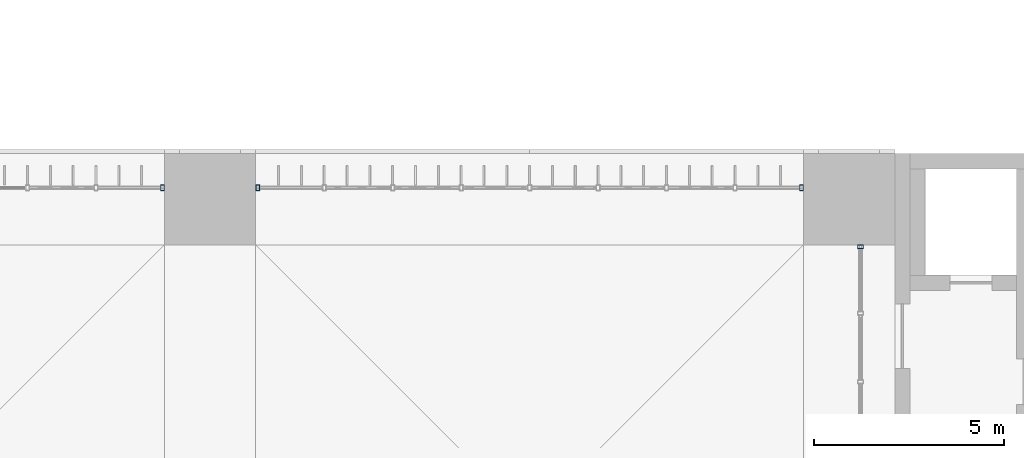
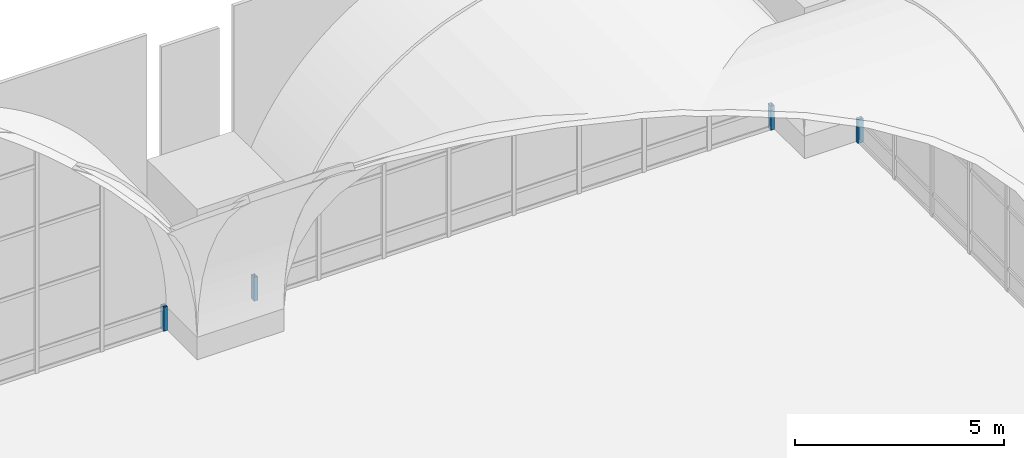
# One storey, part 74 of 169: 4 members, 3 elements without a shape of their own.
"""IFC4 building model written with IfcOpenShell, lengths in metres."""

import ifcopenshell
import ifcopenshell.guid

model = None  # the IFC model being written
_history = None  # IfcOwnerHistory: only IFC2X3 demands one
_inside = {}  # id of a spatial element -> (the spatial element, [elements in it])
_under = {}  # id of a project, library or spatial element -> (it, [spatial elements below it])
_declared = {}  # id of a project -> (the project, [libraries it declares])
_typed = {}  # id of a type object -> (the type object, [elements of that type])
_made_of = {}  # id of a material, layer set ... -> (it, [elements and type objects made of it])


def new_model(schema):
    """Start an empty IFC model of exactly this schema.

    Asked for "IFC4X3", IfcOpenShell would pick the latest addendum, in which some entities
    have other attributes; the version numbers below select the first issue.
    IFC2X3 requires an IfcOwnerHistory on every rooted entity: one is made here for all.
    """
    global model, _history
    if schema == "IFC4X3":
        model = ifcopenshell.file(schema_version=(4, 3, 0, 0))
    else:
        model = ifcopenshell.file(schema=schema)
    _inside.clear()
    _under.clear()
    _declared.clear()
    _typed.clear()
    _made_of.clear()
    _history = None
    if model.schema == "IFC2X3":
        org = make("IfcOrganization", Name="unknown")
        user = make(
            "IfcPersonAndOrganization",
            ThePerson=make("IfcPerson", FamilyName="unknown"),
            TheOrganization=org,
        )
        app = make(
            "IfcApplication",
            ApplicationDeveloper=org,
            Version="unknown",
            ApplicationFullName="unknown",
            ApplicationIdentifier="unknown",
        )
        _history = make(
            "IfcOwnerHistory",
            OwningUser=user,
            OwningApplication=app,
            ChangeAction="ADDED",
            CreationDate=0,
        )
    return model


def make(cls, **values):
    """One entity of the class cls with the attributes given. An attribute that is None is left unset."""
    return model.create_entity(
        cls, **{name: value for name, value in values.items() if value is not None}
    )


def rooted(cls, **values):
    """An entity with a GlobalId (a new one), such as an element, a storey or a relation."""
    return make(cls, GlobalId=ifcopenshell.guid.new(), OwnerHistory=_history, **values)


def si_unit(unit_type, name, prefix=None):
    """IfcSIUnit, for example si_unit("LENGTHUNIT", "METRE", prefix="MILLI")."""
    return make("IfcSIUnit", UnitType=unit_type, Prefix=prefix, Name=name)


def assignment(units):
    """IfcUnitAssignment: the units of a project."""
    return None if units is None else make("IfcUnitAssignment", Units=units)


def point(xyz):
    """IfcCartesianPoint."""
    return None if xyz is None else make("IfcCartesianPoint", Coordinates=xyz)


def direction(xyz):
    """IfcDirection."""
    return None if xyz is None else make("IfcDirection", DirectionRatios=xyz)


def frame(location, z_axis=None, x_axis=None):
    """IfcAxis2Placement3D, a coordinate frame: its origin and axes. An axis left out is left unset."""
    return make(
        "IfcAxis2Placement3D",
        Location=point(location),
        Axis=direction(z_axis),
        RefDirection=direction(x_axis),
    )


def frame_2d(location, x_axis=None):
    """IfcAxis2Placement2D, a coordinate frame in the plane: its origin and x axis."""
    return make(
        "IfcAxis2Placement2D", Location=point(location), RefDirection=direction(x_axis)
    )


def origin():
    """The frame at (0, 0, 0) with its axes left unset."""
    return frame((0.0, 0.0, 0.0))


def origin_2d():
    """The frame at (0, 0) in the plane with its x axis left unset."""
    return frame_2d((0.0, 0.0))


def place(relative_to, where):
    """IfcLocalPlacement: puts the frame where relative to a parent placement (None: the world)."""
    return make(
        "IfcLocalPlacement", PlacementRelTo=relative_to, RelativePlacement=where
    )


def context(
    kind, dimensions, precision=None, world=None, true_north=None, identifier=None
):
    """IfcGeometricRepresentationContext, for example the 3D "Model" context."""
    return make(
        "IfcGeometricRepresentationContext",
        ContextIdentifier=identifier,
        ContextType=kind,
        CoordinateSpaceDimension=dimensions,
        Precision=precision,
        WorldCoordinateSystem=world,
        TrueNorth=true_north,
    )


def subcontext(parent, identifier, kind, view, scale=None):
    """IfcGeometricRepresentationSubContext, for example "Body" below "Model"."""
    return make(
        "IfcGeometricRepresentationSubContext",
        ContextIdentifier=identifier,
        ContextType=kind,
        ParentContext=parent,
        TargetScale=scale,
        TargetView=view,
    )


def project(units=None, contexts=None):
    """IfcProject with its units and contexts."""
    return rooted(
        "IfcProject",
        Name="project",
        RepresentationContexts=contexts,
        UnitsInContext=assignment(units),
    )


def spatial(cls, under=None, at=None, **own):
    """A site, building, storey or space (cls), placed at a placement, below another one or the project."""
    s = rooted(cls, ObjectPlacement=at, **own)
    if under is not None:
        _under.setdefault(under.id(), (under, []))[1].append(s)
    return s


def profile(cls, at=None, kind="AREA", **sizes):
    """A parametric profile (cls). Its sizes go by their IFC names, for example OverallWidth=200.0."""
    return make(cls, ProfileType=kind, Position=at, **sizes)


def hollow_rectangle(**sizes):
    """IfcRectangleHollowProfileDef."""
    return profile("IfcRectangleHollowProfileDef", **sizes)


def extrude(swept, where, along, depth):
    """IfcExtrudedAreaSolid: the profile swept, set in the frame where, extruded along a direction by depth."""
    return make(
        "IfcExtrudedAreaSolid",
        SweptArea=swept,
        Position=where,
        ExtrudedDirection=direction(along),
        Depth=depth,
    )


def shape(context_of_items, identifier, shape_type, items):
    """IfcShapeRepresentation: the items that make up one representation, for example the "Body"."""
    return make(
        "IfcShapeRepresentation",
        ContextOfItems=context_of_items,
        RepresentationIdentifier=identifier,
        RepresentationType=shape_type,
        Items=items,
    )


def material(Name=None, Category=None):
    """IfcMaterial."""
    return make("IfcMaterial", Name=Name, Category=Category)


def layer(
    of_material, thickness, ventilated=None, Name=None, Category=None, Priority=None
):
    """IfcMaterialLayer: one layer of a wall or slab, of a material (None: an air gap)."""
    return make(
        "IfcMaterialLayer",
        Material=of_material,
        LayerThickness=thickness,
        IsVentilated=ventilated,
        Name=Name,
        Category=Category,
        Priority=Priority,
    )


def layer_set(layers, Name=None):
    """IfcMaterialLayerSet."""
    return make("IfcMaterialLayerSet", MaterialLayers=layers, LayerSetName=Name)


def material_profile(
    of_material, cross_section, Name=None, Category=None, Priority=None
):
    """IfcMaterialProfile: a cross section and its material."""
    return make(
        "IfcMaterialProfile",
        Name=Name,
        Material=of_material,
        Profile=cross_section,
        Priority=Priority,
        Category=Category,
    )


def profile_set(profiles, Name=None, composite=None):
    """IfcMaterialProfileSet."""
    return make(
        "IfcMaterialProfileSet",
        Name=Name,
        MaterialProfiles=profiles,
        CompositeProfile=composite,
    )


def made_of(thing, what):
    """Note that an element or type object is made of a material, layer set ...; save() writes the relation."""
    if what is not None:
        _made_of.setdefault(what.id(), (what, []))[1].append(thing)
    return thing


def type_object(cls, material=None, **own):
    """A type object (cls), such as IfcWallType, which elements share."""
    return made_of(rooted(cls, **own), material)


def element(
    cls,
    number,
    at=None,
    inside=None,
    cuts=None,
    type_object=None,
    material=None,
    context=None,
    identifier="Body",
    shape_type=None,
    held_by="IfcProductDefinitionShape",
    body=None,
    shapes=None,
    **own,
):
    """One element of the class cls, such as IfcWall. Its Tag is "e" and its number.

    at: its placement. inside: the storey or other place that contains it. cuts: it is an
    opening in that element (IfcRelVoidsElement). A single representation is given by context,
    identifier, shape_type and body (its items); several are given by shapes. held_by: the class
    of the entity that holds the representations. save() writes the other relations.
    """
    e = rooted(cls, Tag="e%d" % number, ObjectPlacement=at, **own)
    if body is not None:
        shapes = [shape(context, identifier, shape_type, body)]
    if shapes is not None:
        e.Representation = make(held_by, Representations=shapes)
    if inside is not None:
        _inside.setdefault(inside.id(), (inside, []))[1].append(e)
    if cuts is not None:
        rooted(
            "IfcRelVoidsElement", RelatingBuildingElement=cuts, RelatedOpeningElement=e
        )
    if type_object is not None:
        _typed.setdefault(type_object.id(), (type_object, []))[1].append(e)
    return made_of(e, material)


def aggregate(whole, parts):
    """IfcRelAggregates: a whole, such as a stair, and the parts it consists of."""
    return rooted("IfcRelAggregates", RelatingObject=whole, RelatedObjects=parts)


def save(model, path):
    """Write the relations noted so far, then the file.

    IfcRelAggregates (storeys below a building ...), IfcRelContainedInSpatialStructure (elements
    in a storey), IfcRelDefinesByType, IfcRelAssociatesMaterial and IfcRelDeclares: one each for
    every whole, place, type object, material and project.
    """
    for whole, parts in _under.values():
        aggregate(whole, parts)
    for where, things in _inside.values():
        rooted(
            "IfcRelContainedInSpatialStructure",
            RelatedElements=things,
            RelatingStructure=where,
        )
    for kind, things in _typed.values():
        rooted("IfcRelDefinesByType", RelatedObjects=things, RelatingType=kind)
    for what, things in _made_of.values():
        rooted("IfcRelAssociatesMaterial", RelatedObjects=things, RelatingMaterial=what)
    for by, libraries in _declared.values():
        rooted("IfcRelDeclares", RelatingContext=by, RelatedDefinitions=libraries)
    model.write(path)


model = new_model("IFC4")

# Units and contexts
model_context = context("Model", 3, precision=1e-05, world=origin(), true_north=direction((0.0, 1.0)))
body_context = subcontext(model_context, "Body", "Model", "MODEL_VIEW")
ifc_project = project(units=[si_unit("LENGTHUNIT", "METRE"), si_unit("AREAUNIT", "SQUARE_METRE"), si_unit("VOLUMEUNIT", "CUBIC_METRE"), si_unit("PLANEANGLEUNIT", "RADIAN"), si_unit("MASSUNIT", "GRAM", prefix="KILO")], contexts=[model_context])

# Site, building, storey
site_placement = place(None, origin())
site = spatial("IfcSite", under=ifc_project, at=site_placement, CompositionType="ELEMENT")
building_placement = place(site_placement, origin())
building = spatial("IfcBuilding", under=site, at=building_placement, Name="Verrick Yard Athletic Hall", CompositionType="ELEMENT")
storey_placement = place(building_placement, frame((0.0, 0.0, 4.39990234375)))
storey = spatial("IfcBuildingStorey", under=building, at=storey_placement, Name="L01", CompositionType="ELEMENT", Elevation=4.39990234375)

# Curtain wall, member
ifc_material_1 = material(Name="Aluminium and glass curtain wall", Category="aluminium")
ifc_layer_1 = layer(ifc_material_1, 0.14990234375)
ifc_layer_set_1 = layer_set([ifc_layer_1], Name="Arcade glazing arch")
curtain_wall_type_1 = type_object("IfcCurtainWallType", Name="Arcade glazing arch", PredefinedType="NOTDEFINED", material=ifc_layer_set_1)
curtain_wall_1_placement = place(storey_placement, origin())
curtain_wall_1 = element("IfcCurtainWall", 1, at=curtain_wall_1_placement, inside=storey, type_object=curtain_wall_type_1, Name="Arcade glazing N6", PredefinedType="NOTDEFINED")
ifc_material_2 = material(Name="Structural steel HSS Class C 350W (CSA G40.20/G40.21)", Category="steel")
ifc_material_profile = material_profile(ifc_material_2, hollow_rectangle(XDim=0.1015625, YDim=0.15234375, WallThickness=0.008056640625, at=origin_2d()), Name="HSS152x102x7.9")
ifc_profile_set = profile_set([ifc_material_profile], Name="Structural steel HSS Class C 350W (CSA G40.20/G40.21)")
member_type = type_object("IfcMemberType", Name="Curtain wall mullion HSS152x102x7.9", PredefinedType="MULLION", material=ifc_profile_set)
member_1_placement = place(storey_placement, frame((139.548583984375, 53.10009765625, 0.0), z_axis=(0.0, 0.0, 1.0), x_axis=(1.0, 0.0, 0.0)))
member_1 = element("IfcMember", 2, at=member_1_placement, type_object=member_type, Name="Arcade glazing N6 mullion 9", PredefinedType="MULLION", context=body_context, shape_type="SweptSolid", body=[
    extrude(hollow_rectangle(XDim=0.1015625, YDim=0.15234375, WallThickness=0.008056640625, at=origin_2d()), origin(), (0.0, 0.0, 1.0), 0.700927734375),
])
aggregate(curtain_wall_1, [member_1])

# Curtain wall, members
curtain_wall_2_placement = place(storey_placement, origin())
curtain_wall_2 = element("IfcCurtainWall", 3, at=curtain_wall_2_placement, inside=storey, type_object=curtain_wall_type_1, Name="Arcade glazing N7", PredefinedType="NOTDEFINED")
member_2_placement = place(storey_placement, frame((142.05126953125, 53.10009765625, 0.0), z_axis=(0.0, 0.0, 1.0), x_axis=(1.0, 0.0, 0.0)))
member_2 = element("IfcMember", 4, at=member_2_placement, type_object=member_type, Name="Arcade glazing N7 mullion 1", PredefinedType="MULLION", context=body_context, shape_type="SweptSolid", body=[
    extrude(hollow_rectangle(XDim=0.1015625, YDim=0.15234375, WallThickness=0.008056640625, at=origin_2d()), origin(), (0.0, 0.0, 1.0), 0.700927734375),
])
member_3_placement = place(storey_placement, frame((156.3486328125, 53.10009765625, 0.0), z_axis=(0.0, 0.0, 1.0), x_axis=(1.0, 0.0, 0.0)))
member_3 = element("IfcMember", 5, at=member_3_placement, type_object=member_type, Name="Arcade glazing N7 mullion 9", PredefinedType="MULLION", context=body_context, shape_type="SweptSolid", body=[
    extrude(hollow_rectangle(XDim=0.1015625, YDim=0.15234375, WallThickness=0.008056640625, at=origin_2d()), origin(), (0.0, 0.0, 1.0), 0.700927734375),
])
aggregate(curtain_wall_2, [member_2, member_3])

# Curtain wall, member
ifc_layer_2 = layer(ifc_material_1, 0.14990234375)
ifc_layer_set_2 = layer_set([ifc_layer_2], Name="East end glazing arch")
curtain_wall_type_2 = type_object("IfcCurtainWallType", Name="East end glazing arch", PredefinedType="NOTDEFINED", material=ifc_layer_set_2)
curtain_wall_3_placement = place(storey_placement, origin())
curtain_wall_3 = element("IfcCurtainWall", 6, at=curtain_wall_3_placement, inside=storey, type_object=curtain_wall_type_2, Name="East end glazing 2", PredefinedType="NOTDEFINED")
member_4_placement = place(storey_placement, frame((157.89990234375, 51.548583984375, 0.0), z_axis=(0.0, 0.0, 1.0), x_axis=(0.0, 1.0, 0.0)))
member_4 = element("IfcMember", 7, at=member_4_placement, type_object=member_type, Name="East end glazing 2 mullion 9", PredefinedType="MULLION", context=body_context, shape_type="SweptSolid", body=[
    extrude(hollow_rectangle(XDim=0.1015625, YDim=0.15234375, WallThickness=0.008056640625, at=origin_2d()), origin(), (0.0, 0.0, 1.0), 0.700927734375),
])
aggregate(curtain_wall_3, [member_4])

save(model, "model.ifc")
